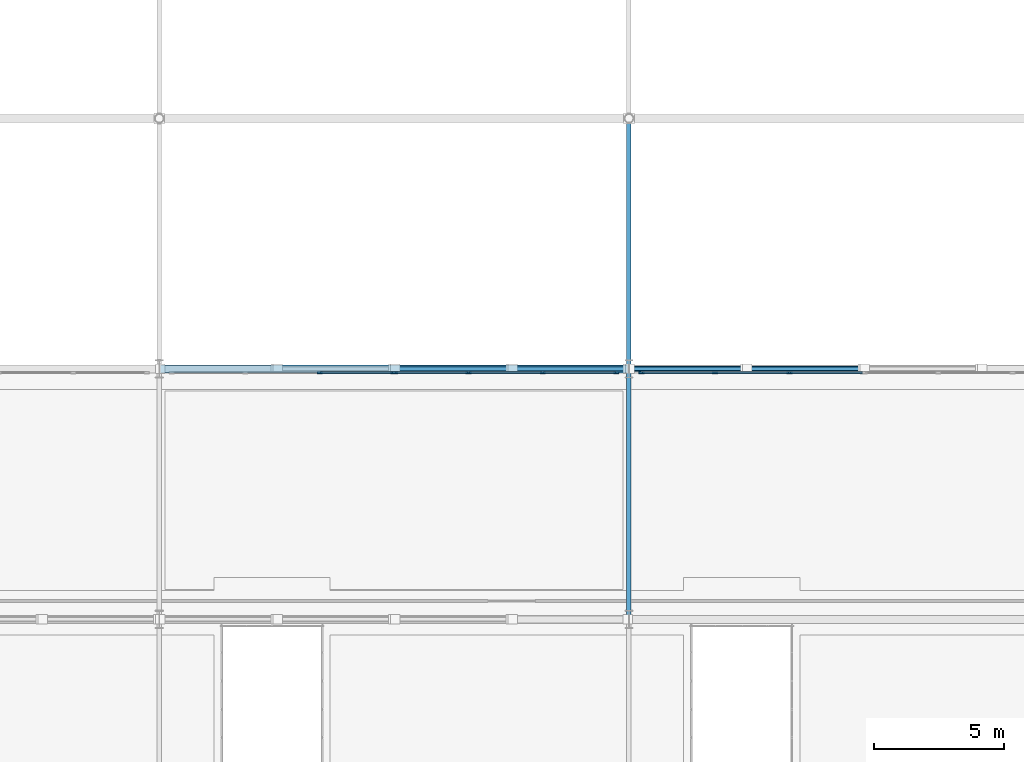
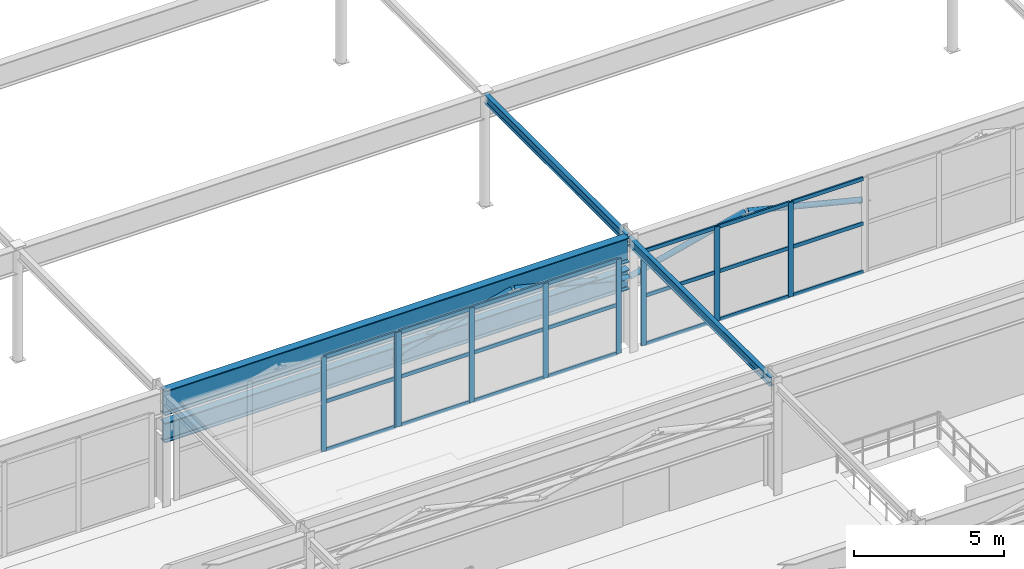
# One storey, part 44 of 125: 35 members, 3 beams, 3 elements without a shape of their own.
"""IFC4 building model written with IfcOpenShell, lengths in metres."""

import ifcopenshell
import ifcopenshell.guid

model = None  # the IFC model being written
_history = None  # IfcOwnerHistory: only IFC2X3 demands one
_inside = {}  # id of a spatial element -> (the spatial element, [elements in it])
_under = {}  # id of a project, library or spatial element -> (it, [spatial elements below it])
_declared = {}  # id of a project -> (the project, [libraries it declares])
_typed = {}  # id of a type object -> (the type object, [elements of that type])
_made_of = {}  # id of a material, layer set ... -> (it, [elements and type objects made of it])


def new_model(schema):
    """Start an empty IFC model of exactly this schema.

    Asked for "IFC4X3", IfcOpenShell would pick the latest addendum, in which some entities
    have other attributes; the version numbers below select the first issue.
    IFC2X3 requires an IfcOwnerHistory on every rooted entity: one is made here for all.
    """
    global model, _history
    if schema == "IFC4X3":
        model = ifcopenshell.file(schema_version=(4, 3, 0, 0))
    else:
        model = ifcopenshell.file(schema=schema)
    _inside.clear()
    _under.clear()
    _declared.clear()
    _typed.clear()
    _made_of.clear()
    _history = None
    if model.schema == "IFC2X3":
        org = make("IfcOrganization", Name="unknown")
        user = make(
            "IfcPersonAndOrganization",
            ThePerson=make("IfcPerson", FamilyName="unknown"),
            TheOrganization=org,
        )
        app = make(
            "IfcApplication",
            ApplicationDeveloper=org,
            Version="unknown",
            ApplicationFullName="unknown",
            ApplicationIdentifier="unknown",
        )
        _history = make(
            "IfcOwnerHistory",
            OwningUser=user,
            OwningApplication=app,
            ChangeAction="ADDED",
            CreationDate=0,
        )
    return model


def make(cls, **values):
    """One entity of the class cls with the attributes given. An attribute that is None is left unset."""
    return model.create_entity(
        cls, **{name: value for name, value in values.items() if value is not None}
    )


def rooted(cls, **values):
    """An entity with a GlobalId (a new one), such as an element, a storey or a relation."""
    return make(cls, GlobalId=ifcopenshell.guid.new(), OwnerHistory=_history, **values)


def si_unit(unit_type, name, prefix=None):
    """IfcSIUnit, for example si_unit("LENGTHUNIT", "METRE", prefix="MILLI")."""
    return make("IfcSIUnit", UnitType=unit_type, Prefix=prefix, Name=name)


def assignment(units):
    """IfcUnitAssignment: the units of a project."""
    return None if units is None else make("IfcUnitAssignment", Units=units)


def point(xyz):
    """IfcCartesianPoint."""
    return None if xyz is None else make("IfcCartesianPoint", Coordinates=xyz)


def direction(xyz):
    """IfcDirection."""
    return None if xyz is None else make("IfcDirection", DirectionRatios=xyz)


def frame(location, z_axis=None, x_axis=None):
    """IfcAxis2Placement3D, a coordinate frame: its origin and axes. An axis left out is left unset."""
    return make(
        "IfcAxis2Placement3D",
        Location=point(location),
        Axis=direction(z_axis),
        RefDirection=direction(x_axis),
    )


def frame_2d(location, x_axis=None):
    """IfcAxis2Placement2D, a coordinate frame in the plane: its origin and x axis."""
    return make(
        "IfcAxis2Placement2D", Location=point(location), RefDirection=direction(x_axis)
    )


def origin():
    """The frame at (0, 0, 0) with its axes left unset."""
    return frame((0.0, 0.0, 0.0))


def origin_2d():
    """The frame at (0, 0) in the plane with its x axis left unset."""
    return frame_2d((0.0, 0.0))


def place(relative_to, where):
    """IfcLocalPlacement: puts the frame where relative to a parent placement (None: the world)."""
    return make(
        "IfcLocalPlacement", PlacementRelTo=relative_to, RelativePlacement=where
    )


def context(
    kind, dimensions, precision=None, world=None, true_north=None, identifier=None
):
    """IfcGeometricRepresentationContext, for example the 3D "Model" context."""
    return make(
        "IfcGeometricRepresentationContext",
        ContextIdentifier=identifier,
        ContextType=kind,
        CoordinateSpaceDimension=dimensions,
        Precision=precision,
        WorldCoordinateSystem=world,
        TrueNorth=true_north,
    )


def subcontext(parent, identifier, kind, view, scale=None):
    """IfcGeometricRepresentationSubContext, for example "Body" below "Model"."""
    return make(
        "IfcGeometricRepresentationSubContext",
        ContextIdentifier=identifier,
        ContextType=kind,
        ParentContext=parent,
        TargetScale=scale,
        TargetView=view,
    )


def project(units=None, contexts=None):
    """IfcProject with its units and contexts."""
    return rooted(
        "IfcProject",
        Name="project",
        RepresentationContexts=contexts,
        UnitsInContext=assignment(units),
    )


def spatial(cls, under=None, at=None, **own):
    """A site, building, storey or space (cls), placed at a placement, below another one or the project."""
    s = rooted(cls, ObjectPlacement=at, **own)
    if under is not None:
        _under.setdefault(under.id(), (under, []))[1].append(s)
    return s


def profile(cls, at=None, kind="AREA", **sizes):
    """A parametric profile (cls). Its sizes go by their IFC names, for example OverallWidth=200.0."""
    return make(cls, ProfileType=kind, Position=at, **sizes)


def rectangle(**sizes):
    """IfcRectangleProfileDef."""
    return profile("IfcRectangleProfileDef", **sizes)


def hollow_circle(**sizes):
    """IfcCircleHollowProfileDef."""
    return profile("IfcCircleHollowProfileDef", **sizes)


def i_section(**sizes):
    """IfcIShapeProfileDef."""
    return profile("IfcIShapeProfileDef", **sizes)


def extrude(swept, where, along, depth):
    """IfcExtrudedAreaSolid: the profile swept, set in the frame where, extruded along a direction by depth."""
    return make(
        "IfcExtrudedAreaSolid",
        SweptArea=swept,
        Position=where,
        ExtrudedDirection=direction(along),
        Depth=depth,
    )


def shape(context_of_items, identifier, shape_type, items):
    """IfcShapeRepresentation: the items that make up one representation, for example the "Body"."""
    return make(
        "IfcShapeRepresentation",
        ContextOfItems=context_of_items,
        RepresentationIdentifier=identifier,
        RepresentationType=shape_type,
        Items=items,
    )


def material(Name=None, Category=None):
    """IfcMaterial."""
    return make("IfcMaterial", Name=Name, Category=Category)


def layer(
    of_material, thickness, ventilated=None, Name=None, Category=None, Priority=None
):
    """IfcMaterialLayer: one layer of a wall or slab, of a material (None: an air gap)."""
    return make(
        "IfcMaterialLayer",
        Material=of_material,
        LayerThickness=thickness,
        IsVentilated=ventilated,
        Name=Name,
        Category=Category,
        Priority=Priority,
    )


def layer_set(layers, Name=None):
    """IfcMaterialLayerSet."""
    return make("IfcMaterialLayerSet", MaterialLayers=layers, LayerSetName=Name)


def material_profile(
    of_material, cross_section, Name=None, Category=None, Priority=None
):
    """IfcMaterialProfile: a cross section and its material."""
    return make(
        "IfcMaterialProfile",
        Name=Name,
        Material=of_material,
        Profile=cross_section,
        Priority=Priority,
        Category=Category,
    )


def profile_set(profiles, Name=None, composite=None):
    """IfcMaterialProfileSet."""
    return make(
        "IfcMaterialProfileSet",
        Name=Name,
        MaterialProfiles=profiles,
        CompositeProfile=composite,
    )


def made_of(thing, what):
    """Note that an element or type object is made of a material, layer set ...; save() writes the relation."""
    if what is not None:
        _made_of.setdefault(what.id(), (what, []))[1].append(thing)
    return thing


def type_object(cls, material=None, **own):
    """A type object (cls), such as IfcWallType, which elements share."""
    return made_of(rooted(cls, **own), material)


def element(
    cls,
    number,
    at=None,
    inside=None,
    cuts=None,
    type_object=None,
    material=None,
    context=None,
    identifier="Body",
    shape_type=None,
    held_by="IfcProductDefinitionShape",
    body=None,
    shapes=None,
    **own,
):
    """One element of the class cls, such as IfcWall. Its Tag is "e" and its number.

    at: its placement. inside: the storey or other place that contains it. cuts: it is an
    opening in that element (IfcRelVoidsElement). A single representation is given by context,
    identifier, shape_type and body (its items); several are given by shapes. held_by: the class
    of the entity that holds the representations. save() writes the other relations.
    """
    e = rooted(cls, Tag="e%d" % number, ObjectPlacement=at, **own)
    if body is not None:
        shapes = [shape(context, identifier, shape_type, body)]
    if shapes is not None:
        e.Representation = make(held_by, Representations=shapes)
    if inside is not None:
        _inside.setdefault(inside.id(), (inside, []))[1].append(e)
    if cuts is not None:
        rooted(
            "IfcRelVoidsElement", RelatingBuildingElement=cuts, RelatedOpeningElement=e
        )
    if type_object is not None:
        _typed.setdefault(type_object.id(), (type_object, []))[1].append(e)
    return made_of(e, material)


def aggregate(whole, parts):
    """IfcRelAggregates: a whole, such as a stair, and the parts it consists of."""
    return rooted("IfcRelAggregates", RelatingObject=whole, RelatedObjects=parts)


def save(model, path):
    """Write the relations noted so far, then the file.

    IfcRelAggregates (storeys below a building ...), IfcRelContainedInSpatialStructure (elements
    in a storey), IfcRelDefinesByType, IfcRelAssociatesMaterial and IfcRelDeclares: one each for
    every whole, place, type object, material and project.
    """
    for whole, parts in _under.values():
        aggregate(whole, parts)
    for where, things in _inside.values():
        rooted(
            "IfcRelContainedInSpatialStructure",
            RelatedElements=things,
            RelatingStructure=where,
        )
    for kind, things in _typed.values():
        rooted("IfcRelDefinesByType", RelatedObjects=things, RelatingType=kind)
    for what, things in _made_of.values():
        rooted("IfcRelAssociatesMaterial", RelatedObjects=things, RelatingMaterial=what)
    for by, libraries in _declared.values():
        rooted("IfcRelDeclares", RelatingContext=by, RelatedDefinitions=libraries)
    model.write(path)


model = new_model("IFC4")

# Units and contexts
model_context = context("Model", 3, precision=1e-05, world=origin(), true_north=direction((0.0, 1.0)))
body_context = subcontext(model_context, "Body", "Model", "MODEL_VIEW")
ifc_project = project(units=[si_unit("LENGTHUNIT", "METRE"), si_unit("AREAUNIT", "SQUARE_METRE"), si_unit("VOLUMEUNIT", "CUBIC_METRE"), si_unit("PLANEANGLEUNIT", "RADIAN"), si_unit("MASSUNIT", "GRAM", prefix="KILO")], contexts=[model_context])

# Site, building, storey
site_placement = place(None, origin())
site = spatial("IfcSite", under=ifc_project, at=site_placement, CompositionType="ELEMENT")
building_placement = place(site_placement, origin())
building = spatial("IfcBuilding", under=site, at=building_placement, Name="Myrtia Square Station", CompositionType="ELEMENT")
storey_placement = place(building_placement, frame((0.0, 0.0, 6.0)))
storey = spatial("IfcBuildingStorey", under=building, at=storey_placement, Name="L01", CompositionType="ELEMENT", Elevation=6.0)

# Beams
ifc_material_1 = material(Name="Steel S355", Category="steel")
ifc_material_profile_1 = material_profile(ifc_material_1, i_section(OverallWidth=0.169921875, OverallDepth=0.360107421875, WebThickness=0.008056640625, FlangeThickness=0.0126953125, FilletRadius=0.01806640625, at=origin_2d()), Name="IPE 360")
ifc_profile_set_1 = profile_set([ifc_material_profile_1], Name="Steel S355")
beam_type_1 = type_object("IfcBeamType", Name="BM-IPE360", PredefinedType="BEAM", material=ifc_profile_set_1)
for number, where, z_axis, x_axis, name in (
    (1, (45.0, 76.85009765625, 4.375), (0.0, 1.0, 0.0), (-1.0, 0.0, 0.0), "Structural girder BMY-L01-0516"),
    (2, (45.0, 86.449951171875, 4.375), (0.0, 1.0, 0.0), (-1.0, 0.0, 0.0), "Structural girder BMY-L01-0517"),
):
    element("IfcBeam", number, at=place(storey_placement, frame(where, z_axis=z_axis, x_axis=x_axis)), inside=storey, type_object=beam_type_1, Name=name, PredefinedType="BEAM", context=body_context, shape_type="SweptSolid", body=[
        extrude(i_section(OverallWidth=0.169921875, OverallDepth=0.360107421875, WebThickness=0.008056640625, FlangeThickness=0.0126953125, FilletRadius=0.01806640625, at=origin_2d()), origin(), (0.0, 0.0, 1.0), 9.5),
    ])

# Members
ifc_material_profile_2 = material_profile(ifc_material_1, hollow_circle(Radius=0.109619140625, WallThickness=0.012451171875, at=origin_2d()), Name="CHS 219.1x12.5")
ifc_profile_set_2 = profile_set([ifc_material_profile_2], Name="Steel S355")
member_type_1 = type_object("IfcMemberType", Name="BRC-CHS219", PredefinedType="BRACE", material=ifc_profile_set_2)
for number, where, z_axis, x_axis, name in (
    (3, (36.0400390625, 86.39990234375, 2.85009765625), (0.97040677758, 0.0, 0.241476056838), (0.0, 1.0, 0.0), "Warren roof truss 06 diagonal 3"),
    (4, (40.5400390625, 86.39990234375, 3.949951171875), (0.97040677758, 0.0, -0.241476056838), (0.0, 1.0, 0.0), "Warren roof truss 06 diagonal 4"),
    (5, (45.0400390625, 86.39990234375, 2.85009765625), (0.97040677758, 0.0, 0.241476056838), (0.0, 1.0, 0.0), "Warren roof truss 06 diagonal 5"),
    (6, (49.5400390625, 86.39990234375, 3.949951171875), (0.97040677758, 0.0, -0.241476056838), (0.0, 1.0, 0.0), "Warren roof truss 06 diagonal 6"),
):
    element("IfcMember", number, at=place(storey_placement, frame(where, z_axis=z_axis, x_axis=x_axis)), inside=storey, type_object=member_type_1, Name=name, PredefinedType="BRACE", context=body_context, shape_type="SweptSolid", body=[
        extrude(hollow_circle(Radius=0.109619140625, WallThickness=0.012451171875, at=origin_2d()), origin(), (0.0, 0.0, 1.0), 4.5546875),
    ])
ifc_material_profile_3 = material_profile(ifc_material_1, i_section(OverallWidth=0.300048828125, OverallDepth=0.800048828125, WebThickness=0.017578125, FlangeThickness=0.032958984375, FilletRadius=0.030029296875, at=origin_2d()), Name="HEB 800")
ifc_profile_set_3 = profile_set([ifc_material_profile_3], Name="Steel S355")
member_type_2 = type_object("IfcMemberType", Name="CHD-HEB800", PredefinedType="CHORD", material=ifc_profile_set_3)
member_1_placement = place(storey_placement, frame((27.050048828125, 86.39990234375, 2.85009765625), z_axis=(1.0, 0.0, 0.0), x_axis=(0.0, 1.0, 0.0)))
element("IfcMember", 7, at=member_1_placement, inside=storey, type_object=member_type_2, Name="Warren roof truss 06 bottom chord 1", PredefinedType="CHORD", context=body_context, shape_type="SweptSolid", body=[
    extrude(i_section(OverallWidth=0.300048828125, OverallDepth=0.800048828125, WebThickness=0.017578125, FlangeThickness=0.032958984375, FilletRadius=0.030029296875, at=origin_2d()), origin(), (0.0, 0.0, 1.0), 17.89990234375),
])

# Curtain wall, members
ifc_material_2 = material(Name="Dark bronze anodised aluminium", Category="aluminium")
ifc_layer = layer(ifc_material_2, 0.159912109375, Name="Dark bronze anodised aluminium")
ifc_layer_set = layer_set([ifc_layer], Name="Dark bronze anodised aluminium")
curtain_wall_type = type_object("IfcCurtainWallType", Name="CW-TYPE-19-855x385", PredefinedType="USERDEFINED", material=ifc_layer_set)
curtain_wall_1_placement = place(storey_placement, origin())
curtain_wall_1 = element("IfcCurtainWall", 8, at=curtain_wall_1_placement, inside=storey, type_object=curtain_wall_type, Name="Concourse curtain wall CW-L01-064", ObjectType="CONCOURSE CURTAIN WALL", PredefinedType="USERDEFINED")
ifc_material_profile_4 = material_profile(ifc_material_2, rectangle(XDim=0.06494140625, YDim=0.199951171875, at=origin_2d()), Name="ALU-M 65x200")
ifc_profile_set_4 = profile_set([ifc_material_profile_4], Name="Dark bronze anodised aluminium")
member_type_3 = type_object("IfcMemberType", Name="CWM-65x200", PredefinedType="MULLION", material=ifc_profile_set_4)
member_2_placement = place(storey_placement, frame((33.14990234375, 86.25, 0.0), z_axis=(0.0, 0.0, 1.0), x_axis=(0.0, 1.0, 0.0)))
member_2 = element("IfcMember", 9, at=member_2_placement, type_object=member_type_3, Name="CW-064 mullion 3", PredefinedType="MULLION", context=body_context, shape_type="SweptSolid", body=[
    extrude(rectangle(XDim=0.06494140625, YDim=0.199951171875, at=origin_2d()), origin(), (0.0, 0.0, 1.0), 3.85009765625),
])
member_3_placement = place(storey_placement, frame((35.967529296875, 86.25, 0.0), z_axis=(0.0, 0.0, 1.0), x_axis=(0.0, 1.0, 0.0)))
member_3 = element("IfcMember", 10, at=member_3_placement, type_object=member_type_3, Name="CW-064 mullion 4", PredefinedType="MULLION", context=body_context, shape_type="SweptSolid", body=[
    extrude(rectangle(XDim=0.06494140625, YDim=0.199951171875, at=origin_2d()), origin(), (0.0, 0.0, 1.0), 3.85009765625),
])

curtain_wall_2_placement = place(storey_placement, origin())
curtain_wall_2 = element("IfcCurtainWall", 11, at=curtain_wall_2_placement, inside=storey, type_object=curtain_wall_type, Name="Concourse curtain wall CW-L01-066", ObjectType="CONCOURSE CURTAIN WALL", PredefinedType="USERDEFINED")
member_4_placement = place(storey_placement, frame((36.032470703125, 86.25, 0.0), z_axis=(0.0, 0.0, 1.0), x_axis=(0.0, 1.0, 0.0)))
member_4 = element("IfcMember", 12, at=member_4_placement, type_object=member_type_3, Name="CW-066 mullion 1", PredefinedType="MULLION", context=body_context, shape_type="SweptSolid", body=[
    extrude(rectangle(XDim=0.06494140625, YDim=0.199951171875, at=origin_2d()), origin(), (0.0, 0.0, 1.0), 3.85009765625),
])
member_5_placement = place(storey_placement, frame((38.85009765625, 86.25, 0.0), z_axis=(0.0, 0.0, 1.0), x_axis=(0.0, 1.0, 0.0)))
member_5 = element("IfcMember", 13, at=member_5_placement, type_object=member_type_3, Name="CW-066 mullion 2", PredefinedType="MULLION", context=body_context, shape_type="SweptSolid", body=[
    extrude(rectangle(XDim=0.06494140625, YDim=0.199951171875, at=origin_2d()), origin(), (0.0, 0.0, 1.0), 3.85009765625),
])
member_6_placement = place(storey_placement, frame((41.699951171875, 86.25, 0.0), z_axis=(0.0, 0.0, 1.0), x_axis=(0.0, 1.0, 0.0)))
member_6 = element("IfcMember", 14, at=member_6_placement, type_object=member_type_3, Name="CW-066 mullion 3", PredefinedType="MULLION", context=body_context, shape_type="SweptSolid", body=[
    extrude(rectangle(XDim=0.06494140625, YDim=0.199951171875, at=origin_2d()), origin(), (0.0, 0.0, 1.0), 3.85009765625),
])
member_7_placement = place(storey_placement, frame((44.517578125, 86.25, 0.0), z_axis=(0.0, 0.0, 1.0), x_axis=(0.0, 1.0, 0.0)))
member_7 = element("IfcMember", 15, at=member_7_placement, type_object=member_type_3, Name="CW-066 mullion 4", PredefinedType="MULLION", context=body_context, shape_type="SweptSolid", body=[
    extrude(rectangle(XDim=0.06494140625, YDim=0.199951171875, at=origin_2d()), origin(), (0.0, 0.0, 1.0), 3.85009765625),
])

curtain_wall_3_placement = place(storey_placement, origin())
curtain_wall_3 = element("IfcCurtainWall", 16, at=curtain_wall_3_placement, inside=storey, type_object=curtain_wall_type, Name="Concourse curtain wall CW-L01-068", ObjectType="CONCOURSE CURTAIN WALL", PredefinedType="USERDEFINED")
member_8_placement = place(storey_placement, frame((45.482421875, 86.25, 0.0), z_axis=(0.0, 0.0, 1.0), x_axis=(0.0, 1.0, 0.0)))
member_8 = element("IfcMember", 17, at=member_8_placement, type_object=member_type_3, Name="CW-068 mullion 1", PredefinedType="MULLION", context=body_context, shape_type="SweptSolid", body=[
    extrude(rectangle(XDim=0.06494140625, YDim=0.199951171875, at=origin_2d()), origin(), (0.0, 0.0, 1.0), 3.85009765625),
])
member_9_placement = place(storey_placement, frame((48.300048828125, 86.25, 0.0), z_axis=(0.0, 0.0, 1.0), x_axis=(0.0, 1.0, 0.0)))
member_9 = element("IfcMember", 18, at=member_9_placement, type_object=member_type_3, Name="CW-068 mullion 2", PredefinedType="MULLION", context=body_context, shape_type="SweptSolid", body=[
    extrude(rectangle(XDim=0.06494140625, YDim=0.199951171875, at=origin_2d()), origin(), (0.0, 0.0, 1.0), 3.85009765625),
])
member_10_placement = place(storey_placement, frame((51.14990234375, 86.25, 0.0), z_axis=(0.0, 0.0, 1.0), x_axis=(0.0, 1.0, 0.0)))
member_10 = element("IfcMember", 19, at=member_10_placement, type_object=member_type_3, Name="CW-068 mullion 3", PredefinedType="MULLION", context=body_context, shape_type="SweptSolid", body=[
    extrude(rectangle(XDim=0.06494140625, YDim=0.199951171875, at=origin_2d()), origin(), (0.0, 0.0, 1.0), 3.85009765625),
])

# Member
ifc_material_profile_5 = material_profile(ifc_material_2, rectangle(XDim=0.06494140625, YDim=0.14990234375, at=origin_2d()), Name="ALU-T 65x150")
ifc_profile_set_5 = profile_set([ifc_material_profile_5], Name="Dark bronze anodised aluminium")
member_type_4 = type_object("IfcMemberType", Name="CWT-65x150", PredefinedType="USERDEFINED", material=ifc_profile_set_5)
member_11_placement = place(storey_placement, frame((33.1826171875, 86.25, 0.032470703125), z_axis=(1.0, 0.0, 0.0), x_axis=(0.0, 1.0, 0.0)))
member_11 = element("IfcMember", 20, at=member_11_placement, type_object=member_type_4, Name="CW-064 transom 3.1", ObjectType="TRANSOM", PredefinedType="USERDEFINED", context=body_context, shape_type="SweptSolid", body=[
    extrude(rectangle(XDim=0.06494140625, YDim=0.14990234375, at=origin_2d()), origin(), (0.0, 0.0, 1.0), 2.75244140625),
])

member_12_placement = place(storey_placement, frame((33.1826171875, 86.25, 2.001953125), z_axis=(1.0, 0.0, 0.0), x_axis=(0.0, 1.0, 0.0)))
member_12 = element("IfcMember", 21, at=member_12_placement, type_object=member_type_4, Name="CW-064 transom 3.2", ObjectType="TRANSOM", PredefinedType="USERDEFINED", context=body_context, shape_type="SweptSolid", body=[
    extrude(rectangle(XDim=0.06494140625, YDim=0.14990234375, at=origin_2d()), origin(), (0.0, 0.0, 1.0), 2.75244140625),
])

member_13_placement = place(storey_placement, frame((33.1826171875, 86.25, 3.8173828125), z_axis=(1.0, 0.0, 0.0), x_axis=(0.0, 1.0, 0.0)))
member_13 = element("IfcMember", 22, at=member_13_placement, type_object=member_type_4, Name="CW-064 transom 3.3", ObjectType="TRANSOM", PredefinedType="USERDEFINED", context=body_context, shape_type="SweptSolid", body=[
    extrude(rectangle(XDim=0.06494140625, YDim=0.14990234375, at=origin_2d()), origin(), (0.0, 0.0, 1.0), 2.75244140625),
])

aggregate(curtain_wall_1, [member_2, member_3, member_11, member_12, member_13])

member_14_placement = place(storey_placement, frame((36.06494140625, 86.25, 0.032470703125), z_axis=(1.0, 0.0, 0.0), x_axis=(0.0, 1.0, 0.0)))
member_14 = element("IfcMember", 23, at=member_14_placement, type_object=member_type_4, Name="CW-066 transom 1.1", ObjectType="TRANSOM", PredefinedType="USERDEFINED", context=body_context, shape_type="SweptSolid", body=[
    extrude(rectangle(XDim=0.06494140625, YDim=0.14990234375, at=origin_2d()), origin(), (0.0, 0.0, 1.0), 2.75244140625),
])

member_15_placement = place(storey_placement, frame((36.06494140625, 86.25, 2.001953125), z_axis=(1.0, 0.0, 0.0), x_axis=(0.0, 1.0, 0.0)))
member_15 = element("IfcMember", 24, at=member_15_placement, type_object=member_type_4, Name="CW-066 transom 1.2", ObjectType="TRANSOM", PredefinedType="USERDEFINED", context=body_context, shape_type="SweptSolid", body=[
    extrude(rectangle(XDim=0.06494140625, YDim=0.14990234375, at=origin_2d()), origin(), (0.0, 0.0, 1.0), 2.75244140625),
])

member_16_placement = place(storey_placement, frame((36.06494140625, 86.25, 3.8173828125), z_axis=(1.0, 0.0, 0.0), x_axis=(0.0, 1.0, 0.0)))
member_16 = element("IfcMember", 25, at=member_16_placement, type_object=member_type_4, Name="CW-066 transom 1.3", ObjectType="TRANSOM", PredefinedType="USERDEFINED", context=body_context, shape_type="SweptSolid", body=[
    extrude(rectangle(XDim=0.06494140625, YDim=0.14990234375, at=origin_2d()), origin(), (0.0, 0.0, 1.0), 2.75244140625),
])

member_17_placement = place(storey_placement, frame((38.882568359375, 86.25, 0.032470703125), z_axis=(1.0, 0.0, 0.0), x_axis=(0.0, 1.0, 0.0)))
member_17 = element("IfcMember", 26, at=member_17_placement, type_object=member_type_4, Name="CW-066 transom 2.1", ObjectType="TRANSOM", PredefinedType="USERDEFINED", context=body_context, shape_type="SweptSolid", body=[
    extrude(rectangle(XDim=0.06494140625, YDim=0.14990234375, at=origin_2d()), origin(), (0.0, 0.0, 1.0), 2.784912109375),
])

member_18_placement = place(storey_placement, frame((38.882568359375, 86.25, 2.001953125), z_axis=(1.0, 0.0, 0.0), x_axis=(0.0, 1.0, 0.0)))
member_18 = element("IfcMember", 27, at=member_18_placement, type_object=member_type_4, Name="CW-066 transom 2.2", ObjectType="TRANSOM", PredefinedType="USERDEFINED", context=body_context, shape_type="SweptSolid", body=[
    extrude(rectangle(XDim=0.06494140625, YDim=0.14990234375, at=origin_2d()), origin(), (0.0, 0.0, 1.0), 2.784912109375),
])

member_19_placement = place(storey_placement, frame((38.882568359375, 86.25, 3.8173828125), z_axis=(1.0, 0.0, 0.0), x_axis=(0.0, 1.0, 0.0)))
member_19 = element("IfcMember", 28, at=member_19_placement, type_object=member_type_4, Name="CW-066 transom 2.3", ObjectType="TRANSOM", PredefinedType="USERDEFINED", context=body_context, shape_type="SweptSolid", body=[
    extrude(rectangle(XDim=0.06494140625, YDim=0.14990234375, at=origin_2d()), origin(), (0.0, 0.0, 1.0), 2.784912109375),
])

member_20_placement = place(storey_placement, frame((41.732421875, 86.25, 0.032470703125), z_axis=(1.0, 0.0, 0.0), x_axis=(0.0, 1.0, 0.0)))
member_20 = element("IfcMember", 29, at=member_20_placement, type_object=member_type_4, Name="CW-066 transom 3.1", ObjectType="TRANSOM", PredefinedType="USERDEFINED", context=body_context, shape_type="SweptSolid", body=[
    extrude(rectangle(XDim=0.06494140625, YDim=0.14990234375, at=origin_2d()), origin(), (0.0, 0.0, 1.0), 2.752685546875),
])

member_21_placement = place(storey_placement, frame((41.732421875, 86.25, 2.001953125), z_axis=(1.0, 0.0, 0.0), x_axis=(0.0, 1.0, 0.0)))
member_21 = element("IfcMember", 30, at=member_21_placement, type_object=member_type_4, Name="CW-066 transom 3.2", ObjectType="TRANSOM", PredefinedType="USERDEFINED", context=body_context, shape_type="SweptSolid", body=[
    extrude(rectangle(XDim=0.06494140625, YDim=0.14990234375, at=origin_2d()), origin(), (0.0, 0.0, 1.0), 2.752685546875),
])

member_22_placement = place(storey_placement, frame((41.732421875, 86.25, 3.8173828125), z_axis=(1.0, 0.0, 0.0), x_axis=(0.0, 1.0, 0.0)))
member_22 = element("IfcMember", 31, at=member_22_placement, type_object=member_type_4, Name="CW-066 transom 3.3", ObjectType="TRANSOM", PredefinedType="USERDEFINED", context=body_context, shape_type="SweptSolid", body=[
    extrude(rectangle(XDim=0.06494140625, YDim=0.14990234375, at=origin_2d()), origin(), (0.0, 0.0, 1.0), 2.752685546875),
])

aggregate(curtain_wall_2, [member_4, member_5, member_6, member_7, member_14, member_15, member_16, member_17, member_18, member_19, member_20, member_21, member_22])

member_23_placement = place(storey_placement, frame((45.514892578125, 86.25, 0.032470703125), z_axis=(1.0, 0.0, 0.0), x_axis=(0.0, 1.0, 0.0)))
member_23 = element("IfcMember", 32, at=member_23_placement, type_object=member_type_4, Name="CW-068 transom 1.1", ObjectType="TRANSOM", PredefinedType="USERDEFINED", context=body_context, shape_type="SweptSolid", body=[
    extrude(rectangle(XDim=0.06494140625, YDim=0.14990234375, at=origin_2d()), origin(), (0.0, 0.0, 1.0), 2.752685546875),
])

member_24_placement = place(storey_placement, frame((45.514892578125, 86.25, 2.001953125), z_axis=(1.0, 0.0, 0.0), x_axis=(0.0, 1.0, 0.0)))
member_24 = element("IfcMember", 33, at=member_24_placement, type_object=member_type_4, Name="CW-068 transom 1.2", ObjectType="TRANSOM", PredefinedType="USERDEFINED", context=body_context, shape_type="SweptSolid", body=[
    extrude(rectangle(XDim=0.06494140625, YDim=0.14990234375, at=origin_2d()), origin(), (0.0, 0.0, 1.0), 2.752685546875),
])

member_25_placement = place(storey_placement, frame((45.514892578125, 86.25, 3.8173828125), z_axis=(1.0, 0.0, 0.0), x_axis=(0.0, 1.0, 0.0)))
member_25 = element("IfcMember", 34, at=member_25_placement, type_object=member_type_4, Name="CW-068 transom 1.3", ObjectType="TRANSOM", PredefinedType="USERDEFINED", context=body_context, shape_type="SweptSolid", body=[
    extrude(rectangle(XDim=0.06494140625, YDim=0.14990234375, at=origin_2d()), origin(), (0.0, 0.0, 1.0), 2.752685546875),
])

member_26_placement = place(storey_placement, frame((48.33251953125, 86.25, 0.032470703125), z_axis=(1.0, 0.0, 0.0), x_axis=(0.0, 1.0, 0.0)))
member_26 = element("IfcMember", 35, at=member_26_placement, type_object=member_type_4, Name="CW-068 transom 2.1", ObjectType="TRANSOM", PredefinedType="USERDEFINED", context=body_context, shape_type="SweptSolid", body=[
    extrude(rectangle(XDim=0.06494140625, YDim=0.14990234375, at=origin_2d()), origin(), (0.0, 0.0, 1.0), 2.784912109375),
])

member_27_placement = place(storey_placement, frame((48.33251953125, 86.25, 2.001953125), z_axis=(1.0, 0.0, 0.0), x_axis=(0.0, 1.0, 0.0)))
member_27 = element("IfcMember", 36, at=member_27_placement, type_object=member_type_4, Name="CW-068 transom 2.2", ObjectType="TRANSOM", PredefinedType="USERDEFINED", context=body_context, shape_type="SweptSolid", body=[
    extrude(rectangle(XDim=0.06494140625, YDim=0.14990234375, at=origin_2d()), origin(), (0.0, 0.0, 1.0), 2.784912109375),
])

member_28_placement = place(storey_placement, frame((48.33251953125, 86.25, 3.8173828125), z_axis=(1.0, 0.0, 0.0), x_axis=(0.0, 1.0, 0.0)))
member_28 = element("IfcMember", 37, at=member_28_placement, type_object=member_type_4, Name="CW-068 transom 2.3", ObjectType="TRANSOM", PredefinedType="USERDEFINED", context=body_context, shape_type="SweptSolid", body=[
    extrude(rectangle(XDim=0.06494140625, YDim=0.14990234375, at=origin_2d()), origin(), (0.0, 0.0, 1.0), 2.784912109375),
])

member_29_placement = place(storey_placement, frame((51.1826171875, 86.25, 0.032470703125), z_axis=(1.0, 0.0, 0.0), x_axis=(0.0, 1.0, 0.0)))
member_29 = element("IfcMember", 38, at=member_29_placement, type_object=member_type_4, Name="CW-068 transom 3.1", ObjectType="TRANSOM", PredefinedType="USERDEFINED", context=body_context, shape_type="SweptSolid", body=[
    extrude(rectangle(XDim=0.06494140625, YDim=0.14990234375, at=origin_2d()), origin(), (0.0, 0.0, 1.0), 2.75244140625),
])

member_30_placement = place(storey_placement, frame((51.1826171875, 86.25, 2.001953125), z_axis=(1.0, 0.0, 0.0), x_axis=(0.0, 1.0, 0.0)))
member_30 = element("IfcMember", 39, at=member_30_placement, type_object=member_type_4, Name="CW-068 transom 3.2", ObjectType="TRANSOM", PredefinedType="USERDEFINED", context=body_context, shape_type="SweptSolid", body=[
    extrude(rectangle(XDim=0.06494140625, YDim=0.14990234375, at=origin_2d()), origin(), (0.0, 0.0, 1.0), 2.75244140625),
])

member_31_placement = place(storey_placement, frame((51.1826171875, 86.25, 3.8173828125), z_axis=(1.0, 0.0, 0.0), x_axis=(0.0, 1.0, 0.0)))
member_31 = element("IfcMember", 40, at=member_31_placement, type_object=member_type_4, Name="CW-068 transom 3.3", ObjectType="TRANSOM", PredefinedType="USERDEFINED", context=body_context, shape_type="SweptSolid", body=[
    extrude(rectangle(XDim=0.06494140625, YDim=0.14990234375, at=origin_2d()), origin(), (0.0, 0.0, 1.0), 2.75244140625),
])

aggregate(curtain_wall_3, [member_8, member_9, member_10, member_23, member_24, member_25, member_26, member_27, member_28, member_29, member_30, member_31])

# Beam
ifc_material_profile_6 = material_profile(ifc_material_1, i_section(OverallWidth=0.300048828125, OverallDepth=1.0, WebThickness=0.01904296875, FlangeThickness=0.035888671875, FilletRadius=0.030029296875, at=origin_2d()), Name="HEB 1000")
ifc_profile_set_6 = profile_set([ifc_material_profile_6], Name="Steel S355")
beam_type_2 = type_object("IfcBeamType", Name="TG-HEB1000", PredefinedType="USERDEFINED", material=ifc_profile_set_6)
beam_placement = place(storey_placement, frame((27.050048828125, 86.39990234375, 4.054931640625), z_axis=(1.0, 0.0, 0.0), x_axis=(0.0, 1.0, 0.0)))
element("IfcBeam", 41, at=beam_placement, inside=storey, type_object=beam_type_2, Name="Structural girder TG-L01-0125", ObjectType="TRANSFER GIRDER", PredefinedType="USERDEFINED", context=body_context, shape_type="SweptSolid", body=[
    extrude(i_section(OverallWidth=0.300048828125, OverallDepth=1.0, WebThickness=0.01904296875, FlangeThickness=0.035888671875, FilletRadius=0.030029296875, at=origin_2d()), origin(), (0.0, 0.0, 1.0), 17.89990234375),
])

save(model, "model.ifc")
